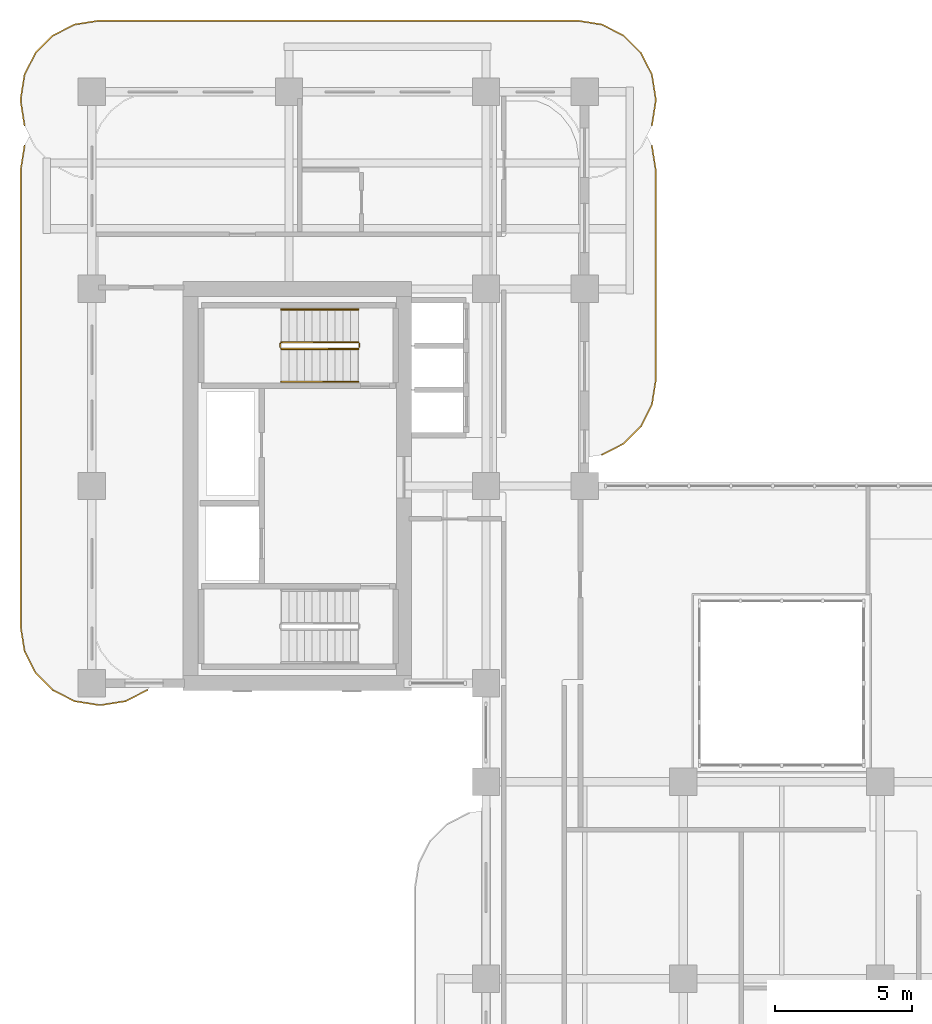
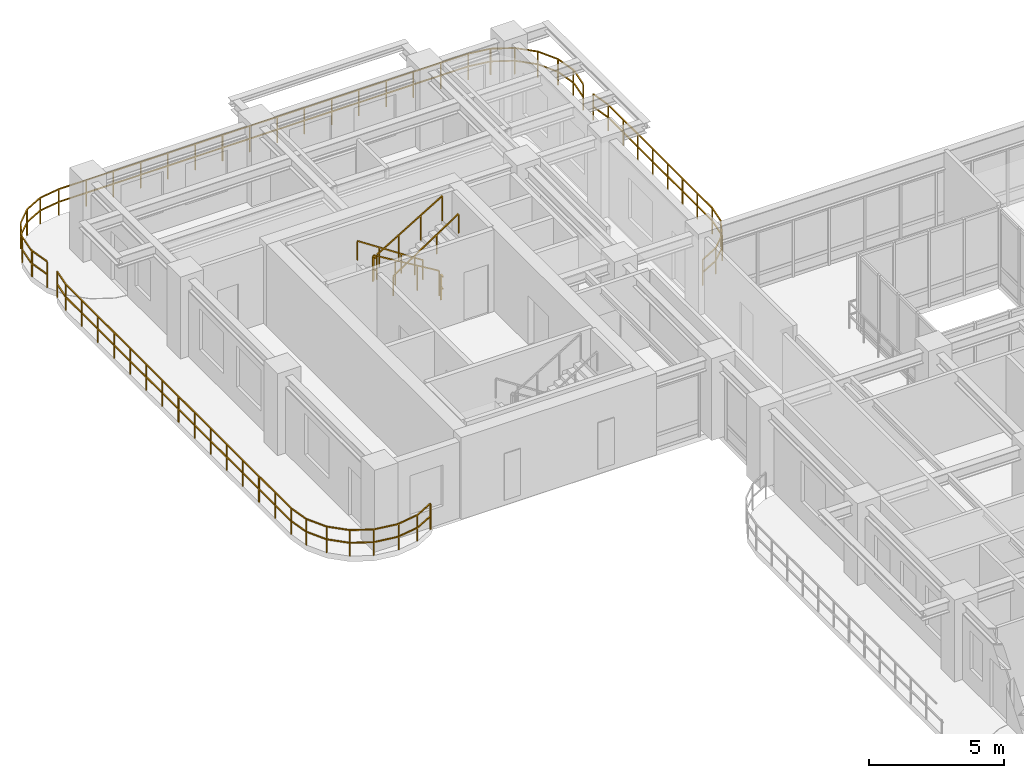
# One storey, part 20 of 20: 9 railings.
"""IFC4 building model written with IfcOpenShell, lengths in metres."""

import ifcopenshell
import ifcopenshell.guid

model = None  # the IFC model being written
_history = None  # IfcOwnerHistory: only IFC2X3 demands one
_inside = {}  # id of a spatial element -> (the spatial element, [elements in it])
_under = {}  # id of a project, library or spatial element -> (it, [spatial elements below it])
_declared = {}  # id of a project -> (the project, [libraries it declares])
_typed = {}  # id of a type object -> (the type object, [elements of that type])
_made_of = {}  # id of a material, layer set ... -> (it, [elements and type objects made of it])


def new_model(schema):
    """Start an empty IFC model of exactly this schema.

    Asked for "IFC4X3", IfcOpenShell would pick the latest addendum, in which some entities
    have other attributes; the version numbers below select the first issue.
    IFC2X3 requires an IfcOwnerHistory on every rooted entity: one is made here for all.
    """
    global model, _history
    if schema == "IFC4X3":
        model = ifcopenshell.file(schema_version=(4, 3, 0, 0))
    else:
        model = ifcopenshell.file(schema=schema)
    _inside.clear()
    _under.clear()
    _declared.clear()
    _typed.clear()
    _made_of.clear()
    _history = None
    if model.schema == "IFC2X3":
        org = make("IfcOrganization", Name="unknown")
        user = make(
            "IfcPersonAndOrganization",
            ThePerson=make("IfcPerson", FamilyName="unknown"),
            TheOrganization=org,
        )
        app = make(
            "IfcApplication",
            ApplicationDeveloper=org,
            Version="unknown",
            ApplicationFullName="unknown",
            ApplicationIdentifier="unknown",
        )
        _history = make(
            "IfcOwnerHistory",
            OwningUser=user,
            OwningApplication=app,
            ChangeAction="ADDED",
            CreationDate=0,
        )
    return model


def make(cls, **values):
    """One entity of the class cls with the attributes given. An attribute that is None is left unset."""
    return model.create_entity(
        cls, **{name: value for name, value in values.items() if value is not None}
    )


def rooted(cls, **values):
    """An entity with a GlobalId (a new one), such as an element, a storey or a relation."""
    return make(cls, GlobalId=ifcopenshell.guid.new(), OwnerHistory=_history, **values)


def si_unit(unit_type, name, prefix=None):
    """IfcSIUnit, for example si_unit("LENGTHUNIT", "METRE", prefix="MILLI")."""
    return make("IfcSIUnit", UnitType=unit_type, Prefix=prefix, Name=name)


def derived_unit(unit_type, elements):
    """IfcDerivedUnit: a product of units, each with its exponent."""
    return make(
        "IfcDerivedUnit",
        Elements=[
            make("IfcDerivedUnitElement", Unit=unit, Exponent=power)
            for unit, power in elements
        ],
        UnitType=unit_type,
    )


def assignment(units):
    """IfcUnitAssignment: the units of a project."""
    return None if units is None else make("IfcUnitAssignment", Units=units)


def point(xyz):
    """IfcCartesianPoint."""
    return None if xyz is None else make("IfcCartesianPoint", Coordinates=xyz)


def direction(xyz):
    """IfcDirection."""
    return None if xyz is None else make("IfcDirection", DirectionRatios=xyz)


def frame(location, z_axis=None, x_axis=None):
    """IfcAxis2Placement3D, a coordinate frame: its origin and axes. An axis left out is left unset."""
    return make(
        "IfcAxis2Placement3D",
        Location=point(location),
        Axis=direction(z_axis),
        RefDirection=direction(x_axis),
    )


def frame_2d(location, x_axis=None):
    """IfcAxis2Placement2D, a coordinate frame in the plane: its origin and x axis."""
    return make(
        "IfcAxis2Placement2D", Location=point(location), RefDirection=direction(x_axis)
    )


def origin():
    """The frame at (0, 0, 0) with its axes left unset."""
    return frame((0.0, 0.0, 0.0))


def origin_2d():
    """The frame at (0, 0) in the plane with its x axis left unset."""
    return frame_2d((0.0, 0.0))


def place(relative_to, where):
    """IfcLocalPlacement: puts the frame where relative to a parent placement (None: the world)."""
    return make(
        "IfcLocalPlacement", PlacementRelTo=relative_to, RelativePlacement=where
    )


def context(
    kind, dimensions, precision=None, world=None, true_north=None, identifier=None
):
    """IfcGeometricRepresentationContext, for example the 3D "Model" context."""
    return make(
        "IfcGeometricRepresentationContext",
        ContextIdentifier=identifier,
        ContextType=kind,
        CoordinateSpaceDimension=dimensions,
        Precision=precision,
        WorldCoordinateSystem=world,
        TrueNorth=true_north,
    )


def subcontext(parent, identifier, kind, view, scale=None):
    """IfcGeometricRepresentationSubContext, for example "Body" below "Model"."""
    return make(
        "IfcGeometricRepresentationSubContext",
        ContextIdentifier=identifier,
        ContextType=kind,
        ParentContext=parent,
        TargetScale=scale,
        TargetView=view,
    )


def project(units=None, contexts=None):
    """IfcProject with its units and contexts."""
    return rooted(
        "IfcProject",
        Name="project",
        RepresentationContexts=contexts,
        UnitsInContext=assignment(units),
    )


def spatial(cls, under=None, at=None, **own):
    """A site, building, storey or space (cls), placed at a placement, below another one or the project."""
    s = rooted(cls, ObjectPlacement=at, **own)
    if under is not None:
        _under.setdefault(under.id(), (under, []))[1].append(s)
    return s


def profile(cls, at=None, kind="AREA", **sizes):
    """A parametric profile (cls). Its sizes go by their IFC names, for example OverallWidth=200.0."""
    return make(cls, ProfileType=kind, Position=at, **sizes)


def rectangle(**sizes):
    """IfcRectangleProfileDef."""
    return profile("IfcRectangleProfileDef", **sizes)


def extrude(swept, where, along, depth):
    """IfcExtrudedAreaSolid: the profile swept, set in the frame where, extruded along a direction by depth."""
    return make(
        "IfcExtrudedAreaSolid",
        SweptArea=swept,
        Position=where,
        ExtrudedDirection=direction(along),
        Depth=depth,
    )


def shape(context_of_items, identifier, shape_type, items):
    """IfcShapeRepresentation: the items that make up one representation, for example the "Body"."""
    return make(
        "IfcShapeRepresentation",
        ContextOfItems=context_of_items,
        RepresentationIdentifier=identifier,
        RepresentationType=shape_type,
        Items=items,
    )


def material(Name=None, Category=None):
    """IfcMaterial."""
    return make("IfcMaterial", Name=Name, Category=Category)


def made_of(thing, what):
    """Note that an element or type object is made of a material, layer set ...; save() writes the relation."""
    if what is not None:
        _made_of.setdefault(what.id(), (what, []))[1].append(thing)
    return thing


def type_object(cls, material=None, **own):
    """A type object (cls), such as IfcWallType, which elements share."""
    return made_of(rooted(cls, **own), material)


def element(
    cls,
    number,
    at=None,
    inside=None,
    cuts=None,
    type_object=None,
    material=None,
    context=None,
    identifier="Body",
    shape_type=None,
    held_by="IfcProductDefinitionShape",
    body=None,
    shapes=None,
    **own,
):
    """One element of the class cls, such as IfcWall. Its Tag is "e" and its number.

    at: its placement. inside: the storey or other place that contains it. cuts: it is an
    opening in that element (IfcRelVoidsElement). A single representation is given by context,
    identifier, shape_type and body (its items); several are given by shapes. held_by: the class
    of the entity that holds the representations. save() writes the other relations.
    """
    e = rooted(cls, Tag="e%d" % number, ObjectPlacement=at, **own)
    if body is not None:
        shapes = [shape(context, identifier, shape_type, body)]
    if shapes is not None:
        e.Representation = make(held_by, Representations=shapes)
    if inside is not None:
        _inside.setdefault(inside.id(), (inside, []))[1].append(e)
    if cuts is not None:
        rooted(
            "IfcRelVoidsElement", RelatingBuildingElement=cuts, RelatedOpeningElement=e
        )
    if type_object is not None:
        _typed.setdefault(type_object.id(), (type_object, []))[1].append(e)
    return made_of(e, material)


def aggregate(whole, parts):
    """IfcRelAggregates: a whole, such as a stair, and the parts it consists of."""
    return rooted("IfcRelAggregates", RelatingObject=whole, RelatedObjects=parts)


def save(model, path):
    """Write the relations noted so far, then the file.

    IfcRelAggregates (storeys below a building ...), IfcRelContainedInSpatialStructure (elements
    in a storey), IfcRelDefinesByType, IfcRelAssociatesMaterial and IfcRelDeclares: one each for
    every whole, place, type object, material and project.
    """
    for whole, parts in _under.values():
        aggregate(whole, parts)
    for where, things in _inside.values():
        rooted(
            "IfcRelContainedInSpatialStructure",
            RelatedElements=things,
            RelatingStructure=where,
        )
    for kind, things in _typed.values():
        rooted("IfcRelDefinesByType", RelatedObjects=things, RelatingType=kind)
    for what, things in _made_of.values():
        rooted("IfcRelAssociatesMaterial", RelatedObjects=things, RelatingMaterial=what)
    for by, libraries in _declared.values():
        rooted("IfcRelDeclares", RelatingContext=by, RelatedDefinitions=libraries)
    model.write(path)


model = new_model("IFC4")

# Units and contexts
model_context = context("Model", 3, precision=1e-05, world=origin(), true_north=direction((0.0, 1.0)))
body_context = subcontext(model_context, "Body", "Model", "MODEL_VIEW")
ifc_project = project(units=[si_unit("LENGTHUNIT", "METRE"), si_unit("AREAUNIT", "SQUARE_METRE"), si_unit("VOLUMEUNIT", "CUBIC_METRE"), si_unit("PLANEANGLEUNIT", "RADIAN"), si_unit("MASSUNIT", "GRAM", prefix="KILO"), si_unit("THERMODYNAMICTEMPERATUREUNIT", "KELVIN"), si_unit("POWERUNIT", "WATT"), derived_unit("THERMALTRANSMITTANCEUNIT", [(si_unit("POWERUNIT", "WATT"), 1), (si_unit("AREAUNIT", "SQUARE_METRE"), -1), (si_unit("THERMODYNAMICTEMPERATUREUNIT", "KELVIN"), -1)])], contexts=[model_context])

# Site, building, storey
site_placement = place(None, origin())
site = spatial("IfcSite", under=ifc_project, at=site_placement, CompositionType="ELEMENT")
building_placement = place(site_placement, origin())
building = spatial("IfcBuilding", under=site, at=building_placement, Name="Zahravan Archway Hotel and Residences", CompositionType="ELEMENT")
storey_placement = place(building_placement, frame((0.0, 0.0, 115.5)))
storey = spatial("IfcBuildingStorey", under=building, at=storey_placement, Name="L28", CompositionType="ELEMENT", Elevation=115.5)

# Railings
ifc_material_1 = material(Name="Bronze & Laminated Glass Balustrade", Category="glass")
railing_type_1 = type_object("IfcRailingType", Name="RL-BAL-1200", PredefinedType="BALUSTRADE", material=ifc_material_1)
railing_1_placement = place(storey_placement, frame((-2.46044921875, 45.5693359375, 0.0)))
element("IfcRailing", 1, at=railing_1_placement, inside=storey, type_object=railing_type_1, Name="L28 Balustrade RL-SLB-BAL-L28-NB-1", PredefinedType="BALUSTRADE", context=body_context, shape_type="SweptSolid", body=[
    extrude(rectangle(XDim=0.048095703125, YDim=0.048095703125, at=origin_2d()), frame((0.0, 0.0, 1.17578125), z_axis=(-0.156623399917, 0.987658397726, 0.0), x_axis=(-0.987658397726, -0.156623399917, 0.0)), (0.0, 0.0, 1.0), 0.8916015625),
    extrude(rectangle(XDim=0.048095703125, YDim=0.048095703125, at=origin_2d()), frame((0.0, 0.0, 0.60009765625), z_axis=(-0.156623399917, 0.987658397726, 0.0), x_axis=(-0.987658397726, -0.156623399917, 0.0)), (0.0, 0.0, 1.0), 0.8916015625),
    extrude(rectangle(XDim=0.048095703125, YDim=0.048095703125, at=origin_2d()), frame((-0.1396484375, 0.880615234375, 1.17578125), z_axis=(0.0, 1.0, 0.0), x_axis=(-1.0, 0.0, 0.0)), (0.0, 0.0, 1.0), 0.10009765625),
    extrude(rectangle(XDim=0.048095703125, YDim=0.048095703125, at=origin_2d()), frame((-0.1396484375, 0.880615234375, 0.60009765625), z_axis=(0.0, 1.0, 0.0), x_axis=(-1.0, 0.0, 0.0)), (0.0, 0.0, 1.0), 0.10009765625),
    extrude(rectangle(XDim=0.048095703125, YDim=0.048095703125, at=origin_2d()), frame((-0.1396484375, 0.980712890625, 1.17578125), z_axis=(0.156623399917, 0.987658397726, 0.0), x_axis=(-0.987658397726, 0.156623399917, 0.0)), (0.0, 0.0, 1.0), 0.8916015625),
    extrude(rectangle(XDim=0.048095703125, YDim=0.048095703125, at=origin_2d()), frame((-0.1396484375, 0.980712890625, 0.60009765625), z_axis=(0.156623399917, 0.987658397726, 0.0), x_axis=(-0.987658397726, 0.156623399917, 0.0)), (0.0, 0.0, 1.0), 0.8916015625),
    extrude(rectangle(XDim=0.048095703125, YDim=0.048095703125, at=origin_2d()), frame((0.0, 1.861328125, 1.17578125), z_axis=(0.453991409995, 0.891006060389, 0.0), x_axis=(-0.891006060389, 0.453991409995, 0.0)), (0.0, 0.0, 1.0), 0.8916015625),
    extrude(rectangle(XDim=0.048095703125, YDim=0.048095703125, at=origin_2d()), frame((0.0, 1.861328125, 0.60009765625), z_axis=(0.453991409995, 0.891006060389, 0.0), x_axis=(-0.891006060389, 0.453991409995, 0.0)), (0.0, 0.0, 1.0), 0.8916015625),
    extrude(rectangle(XDim=0.048095703125, YDim=0.048095703125, at=origin_2d()), frame((0.40478515625, 2.65576171875, 1.17578125), z_axis=(0.706969864397, 0.70724367147, 0.0), x_axis=(-0.70724367147, 0.706969864397, 0.0)), (0.0, 0.0, 1.0), 0.8916015625),
    extrude(rectangle(XDim=0.048095703125, YDim=0.048095703125, at=origin_2d()), frame((0.40478515625, 2.65576171875, 0.60009765625), z_axis=(0.706969864397, 0.70724367147, 0.0), x_axis=(-0.70724367147, 0.706969864397, 0.0)), (0.0, 0.0, 1.0), 0.8916015625),
    extrude(rectangle(XDim=0.048095703125, YDim=0.048095703125, at=origin_2d()), frame((1.03515625, 3.286376953125, 1.17578125), z_axis=(0.891062476022, 0.45388067135, 0.0), x_axis=(-0.45388067135, 0.891062476022, 0.0)), (0.0, 0.0, 1.0), 0.891845703125),
    extrude(rectangle(XDim=0.048095703125, YDim=0.048095703125, at=origin_2d()), frame((1.03515625, 3.286376953125, 0.60009765625), z_axis=(0.891062476022, 0.45388067135, 0.0), x_axis=(-0.45388067135, 0.891062476022, 0.0)), (0.0, 0.0, 1.0), 0.891845703125),
    extrude(rectangle(XDim=0.048095703125, YDim=0.048095703125, at=origin_2d()), frame((1.829833984375, 3.691162109375, 1.17578125), z_axis=(0.987700720307, 0.156356282588, 0.0), x_axis=(-0.156356282588, 0.987700720307, 0.0)), (0.0, 0.0, 1.0), 0.8916015625),
    extrude(rectangle(XDim=0.048095703125, YDim=0.048095703125, at=origin_2d()), frame((1.829833984375, 3.691162109375, 0.60009765625), z_axis=(0.987700720307, 0.156356282588, 0.0), x_axis=(-0.156356282588, 0.987700720307, 0.0)), (0.0, 0.0, 1.0), 0.8916015625),
    extrude(rectangle(XDim=0.048095703125, YDim=0.048095703125, at=origin_2d()), frame((2.71044921875, 3.83056640625, 1.17578125), z_axis=(1.0, 0.0, 0.0), x_axis=(0.0, 1.0, 0.0)), (0.0, 0.0, 1.0), 17.5),
    extrude(rectangle(XDim=0.048095703125, YDim=0.048095703125, at=origin_2d()), frame((2.71044921875, 3.83056640625, 0.60009765625), z_axis=(1.0, 0.0, 0.0), x_axis=(0.0, 1.0, 0.0)), (0.0, 0.0, 1.0), 17.5),
    extrude(rectangle(XDim=0.048095703125, YDim=0.048095703125, at=origin_2d()), frame((20.21044921875, 3.83056640625, 1.17578125), z_axis=(0.987700720307, -0.156356282588, 0.0), x_axis=(0.156356282588, 0.987700720307, 0.0)), (0.0, 0.0, 1.0), 0.8916015625),
    extrude(rectangle(XDim=0.048095703125, YDim=0.048095703125, at=origin_2d()), frame((20.21044921875, 3.83056640625, 0.60009765625), z_axis=(0.987700720307, -0.156356282588, 0.0), x_axis=(0.156356282588, 0.987700720307, 0.0)), (0.0, 0.0, 1.0), 0.8916015625),
    extrude(rectangle(XDim=0.048095703125, YDim=0.048095703125, at=origin_2d()), frame((21.091064453125, 3.691162109375, 1.17578125), z_axis=(0.891062476022, -0.45388067135, 0.0), x_axis=(0.45388067135, 0.891062476022, 0.0)), (0.0, 0.0, 1.0), 0.891845703125),
    extrude(rectangle(XDim=0.048095703125, YDim=0.048095703125, at=origin_2d()), frame((21.091064453125, 3.691162109375, 0.60009765625), z_axis=(0.891062476022, -0.45388067135, 0.0), x_axis=(0.45388067135, 0.891062476022, 0.0)), (0.0, 0.0, 1.0), 0.891845703125),
    extrude(rectangle(XDim=0.048095703125, YDim=0.048095703125, at=origin_2d()), frame((21.8857421875, 3.286376953125, 1.17578125), z_axis=(0.706969864397, -0.70724367147, 0.0), x_axis=(0.70724367147, 0.706969864397, 0.0)), (0.0, 0.0, 1.0), 0.8916015625),
    extrude(rectangle(XDim=0.048095703125, YDim=0.048095703125, at=origin_2d()), frame((21.8857421875, 3.286376953125, 0.60009765625), z_axis=(0.706969864397, -0.70724367147, 0.0), x_axis=(0.70724367147, 0.706969864397, 0.0)), (0.0, 0.0, 1.0), 0.8916015625),
    extrude(rectangle(XDim=0.048095703125, YDim=0.048095703125, at=origin_2d()), frame((22.51611328125, 2.65576171875, 1.17578125), z_axis=(0.453991409995, -0.891006060389, 0.0), x_axis=(0.891006060389, 0.453991409995, 0.0)), (0.0, 0.0, 1.0), 0.8916015625),
    extrude(rectangle(XDim=0.048095703125, YDim=0.048095703125, at=origin_2d()), frame((22.51611328125, 2.65576171875, 0.60009765625), z_axis=(0.453991409995, -0.891006060389, 0.0), x_axis=(0.891006060389, 0.453991409995, 0.0)), (0.0, 0.0, 1.0), 0.8916015625),
    extrude(rectangle(XDim=0.048095703125, YDim=0.048095703125, at=origin_2d()), frame((22.9208984375, 1.861328125, 1.17578125), z_axis=(0.156623399917, -0.987658397726, 0.0), x_axis=(0.987658397726, 0.156623399917, 0.0)), (0.0, 0.0, 1.0), 0.8916015625),
    extrude(rectangle(XDim=0.048095703125, YDim=0.048095703125, at=origin_2d()), frame((22.9208984375, 1.861328125, 0.60009765625), z_axis=(0.156623399917, -0.987658397726, 0.0), x_axis=(0.987658397726, 0.156623399917, 0.0)), (0.0, 0.0, 1.0), 0.8916015625),
    extrude(rectangle(XDim=0.048095703125, YDim=0.048095703125, at=origin_2d()), frame((23.060546875, 0.980712890625, 1.17578125), z_axis=(0.0, -1.0, 0.0), x_axis=(1.0, 0.0, 0.0)), (0.0, 0.0, 1.0), 0.10009765625),
    extrude(rectangle(XDim=0.048095703125, YDim=0.048095703125, at=origin_2d()), frame((23.060546875, 0.980712890625, 0.60009765625), z_axis=(0.0, -1.0, 0.0), x_axis=(1.0, 0.0, 0.0)), (0.0, 0.0, 1.0), 0.10009765625),
    extrude(rectangle(XDim=0.048095703125, YDim=0.048095703125, at=origin_2d()), frame((23.060546875, 0.880615234375, 1.17578125), z_axis=(-0.156623399917, -0.987658397726, 0.0), x_axis=(0.987658397726, -0.156623399917, 0.0)), (0.0, 0.0, 1.0), 0.8916015625),
    extrude(rectangle(XDim=0.048095703125, YDim=0.048095703125, at=origin_2d()), frame((23.060546875, 0.880615234375, 0.60009765625), z_axis=(-0.156623399917, -0.987658397726, 0.0), x_axis=(0.987658397726, -0.156623399917, 0.0)), (0.0, 0.0, 1.0), 0.8916015625),
    extrude(rectangle(XDim=0.0419921875, YDim=0.0419921875, at=origin_2d()), origin(), (0.0, 0.0, 1.0), 1.15185546875),
    extrude(rectangle(XDim=0.0419921875, YDim=0.0419921875, at=origin_2d()), frame((-0.1396484375, 0.880615234375, 0.0)), (0.0, 0.0, 1.0), 1.15185546875),
    extrude(rectangle(XDim=0.0419921875, YDim=0.0419921875, at=origin_2d()), frame((0.0, 1.861328125, 0.0)), (0.0, 0.0, 1.0), 1.15185546875),
    extrude(rectangle(XDim=0.0419921875, YDim=0.0419921875, at=origin_2d()), frame((0.40478515625, 2.65576171875, 0.0)), (0.0, 0.0, 1.0), 1.15185546875),
    extrude(rectangle(XDim=0.0419921875, YDim=0.0419921875, at=origin_2d()), frame((1.03515625, 3.286376953125, 0.0)), (0.0, 0.0, 1.0), 1.15185546875),
    extrude(rectangle(XDim=0.0419921875, YDim=0.0419921875, at=origin_2d()), frame((1.829833984375, 3.691162109375, 0.0)), (0.0, 0.0, 1.0), 1.15185546875),
    extrude(rectangle(XDim=0.0419921875, YDim=0.0419921875, at=origin_2d()), frame((2.71044921875, 3.83056640625, 0.0)), (0.0, 0.0, 1.0), 1.15185546875),
    extrude(rectangle(XDim=0.0419921875, YDim=0.0419921875, at=origin_2d()), frame((3.877197265625, 3.83056640625, 0.0)), (0.0, 0.0, 1.0), 1.15185546875),
    extrude(rectangle(XDim=0.0419921875, YDim=0.0419921875, at=origin_2d()), frame((5.043701171875, 3.83056640625, 0.0)), (0.0, 0.0, 1.0), 1.15185546875),
    extrude(rectangle(XDim=0.0419921875, YDim=0.0419921875, at=origin_2d()), frame((6.21044921875, 3.83056640625, 0.0)), (0.0, 0.0, 1.0), 1.15185546875),
    extrude(rectangle(XDim=0.0419921875, YDim=0.0419921875, at=origin_2d()), frame((7.377197265625, 3.83056640625, 0.0)), (0.0, 0.0, 1.0), 1.15185546875),
    extrude(rectangle(XDim=0.0419921875, YDim=0.0419921875, at=origin_2d()), frame((8.543701171875, 3.83056640625, 0.0)), (0.0, 0.0, 1.0), 1.15185546875),
    extrude(rectangle(XDim=0.0419921875, YDim=0.0419921875, at=origin_2d()), frame((9.71044921875, 3.83056640625, 0.0)), (0.0, 0.0, 1.0), 1.15185546875),
    extrude(rectangle(XDim=0.0419921875, YDim=0.0419921875, at=origin_2d()), frame((10.877197265625, 3.83056640625, 0.0)), (0.0, 0.0, 1.0), 1.15185546875),
    extrude(rectangle(XDim=0.0419921875, YDim=0.0419921875, at=origin_2d()), frame((12.043701171875, 3.83056640625, 0.0)), (0.0, 0.0, 1.0), 1.15185546875),
    extrude(rectangle(XDim=0.0419921875, YDim=0.0419921875, at=origin_2d()), frame((13.21044921875, 3.83056640625, 0.0)), (0.0, 0.0, 1.0), 1.15185546875),
    extrude(rectangle(XDim=0.0419921875, YDim=0.0419921875, at=origin_2d()), frame((14.377197265625, 3.83056640625, 0.0)), (0.0, 0.0, 1.0), 1.15185546875),
    extrude(rectangle(XDim=0.0419921875, YDim=0.0419921875, at=origin_2d()), frame((15.543701171875, 3.83056640625, 0.0)), (0.0, 0.0, 1.0), 1.15185546875),
    extrude(rectangle(XDim=0.0419921875, YDim=0.0419921875, at=origin_2d()), frame((16.71044921875, 3.83056640625, 0.0)), (0.0, 0.0, 1.0), 1.15185546875),
    extrude(rectangle(XDim=0.0419921875, YDim=0.0419921875, at=origin_2d()), frame((17.877197265625, 3.83056640625, 0.0)), (0.0, 0.0, 1.0), 1.15185546875),
    extrude(rectangle(XDim=0.0419921875, YDim=0.0419921875, at=origin_2d()), frame((19.043701171875, 3.83056640625, 0.0)), (0.0, 0.0, 1.0), 1.15185546875),
    extrude(rectangle(XDim=0.0419921875, YDim=0.0419921875, at=origin_2d()), frame((20.21044921875, 3.83056640625, 0.0)), (0.0, 0.0, 1.0), 1.15185546875),
    extrude(rectangle(XDim=0.0419921875, YDim=0.0419921875, at=origin_2d()), frame((21.091064453125, 3.691162109375, 0.0)), (0.0, 0.0, 1.0), 1.15185546875),
    extrude(rectangle(XDim=0.0419921875, YDim=0.0419921875, at=origin_2d()), frame((21.8857421875, 3.286376953125, 0.0)), (0.0, 0.0, 1.0), 1.15185546875),
    extrude(rectangle(XDim=0.0419921875, YDim=0.0419921875, at=origin_2d()), frame((22.51611328125, 2.65576171875, 0.0)), (0.0, 0.0, 1.0), 1.15185546875),
    extrude(rectangle(XDim=0.0419921875, YDim=0.0419921875, at=origin_2d()), frame((22.9208984375, 1.861328125, 0.0)), (0.0, 0.0, 1.0), 1.15185546875),
    extrude(rectangle(XDim=0.0419921875, YDim=0.0419921875, at=origin_2d()), frame((23.060546875, 0.980712890625, 0.0)), (0.0, 0.0, 1.0), 1.15185546875),
    extrude(rectangle(XDim=0.0419921875, YDim=0.0419921875, at=origin_2d()), frame((22.9208984375, 0.0, 0.0)), (0.0, 0.0, 1.0), 1.15185546875),
])
railing_2_placement = place(storey_placement, frame((2.025146484375, 24.9443359375, 0.0)))
element("IfcRailing", 2, at=railing_2_placement, inside=storey, type_object=railing_type_1, Name="L28 Balustrade RL-SLB-BAL-L28-WB-1", PredefinedType="BALUSTRADE", context=body_context, shape_type="SweptSolid", body=[
    extrude(rectangle(XDim=0.048095703125, YDim=0.048095703125, at=origin_2d()), frame((0.0, 0.0, 1.17578125), z_axis=(-0.891006060389, -0.453991409995, 0.0), x_axis=(0.453991409995, -0.891006060389, 0.0)), (0.0, 0.0, 1.0), 0.8916015625),
    extrude(rectangle(XDim=0.048095703125, YDim=0.048095703125, at=origin_2d()), frame((0.0, 0.0, 0.60009765625), z_axis=(-0.891006060389, -0.453991409995, 0.0), x_axis=(0.453991409995, -0.891006060389, 0.0)), (0.0, 0.0, 1.0), 0.8916015625),
    extrude(rectangle(XDim=0.048095703125, YDim=0.048095703125, at=origin_2d()), frame((-0.79443359375, -0.40478515625, 1.17578125), z_axis=(-0.987658397726, -0.156623399917, 0.0), x_axis=(0.156623399917, -0.987658397726, 0.0)), (0.0, 0.0, 1.0), 0.8916015625),
    extrude(rectangle(XDim=0.048095703125, YDim=0.048095703125, at=origin_2d()), frame((-0.79443359375, -0.40478515625, 0.60009765625), z_axis=(-0.987658397726, -0.156623399917, 0.0), x_axis=(0.156623399917, -0.987658397726, 0.0)), (0.0, 0.0, 1.0), 0.8916015625),
    extrude(rectangle(XDim=0.048095703125, YDim=0.048095703125, at=origin_2d()), frame((-1.675048828125, -0.54443359375, 1.17578125), z_axis=(-1.0, 0.0, 0.0), x_axis=(0.0, -1.0, 0.0)), (0.0, 0.0, 1.0), 0.10009765625),
    extrude(rectangle(XDim=0.048095703125, YDim=0.048095703125, at=origin_2d()), frame((-1.675048828125, -0.54443359375, 0.60009765625), z_axis=(-1.0, 0.0, 0.0), x_axis=(0.0, -1.0, 0.0)), (0.0, 0.0, 1.0), 0.10009765625),
    extrude(rectangle(XDim=0.048095703125, YDim=0.048095703125, at=origin_2d()), frame((-1.775146484375, -0.54443359375, 1.17578125), z_axis=(-0.987658397726, 0.156623399917, 0.0), x_axis=(-0.156623399917, -0.987658397726, 0.0)), (0.0, 0.0, 1.0), 0.8916015625),
    extrude(rectangle(XDim=0.048095703125, YDim=0.048095703125, at=origin_2d()), frame((-1.775146484375, -0.54443359375, 0.60009765625), z_axis=(-0.987658397726, 0.156623399917, 0.0), x_axis=(-0.156623399917, -0.987658397726, 0.0)), (0.0, 0.0, 1.0), 0.8916015625),
    extrude(rectangle(XDim=0.048095703125, YDim=0.048095703125, at=origin_2d()), frame((-2.65576171875, -0.40478515625, 1.17578125), z_axis=(-0.891062476022, 0.45388067135, 0.0), x_axis=(-0.45388067135, -0.891062476022, 0.0)), (0.0, 0.0, 1.0), 0.891845703125),
    extrude(rectangle(XDim=0.048095703125, YDim=0.048095703125, at=origin_2d()), frame((-2.65576171875, -0.40478515625, 0.60009765625), z_axis=(-0.891062476022, 0.45388067135, 0.0), x_axis=(-0.45388067135, -0.891062476022, 0.0)), (0.0, 0.0, 1.0), 0.891845703125),
    extrude(rectangle(XDim=0.048095703125, YDim=0.048095703125, at=origin_2d()), frame((-3.450439453125, 0.0, 1.17578125), z_axis=(-0.707106781187, 0.707106781187, 0.0), x_axis=(-0.707106781187, -0.707106781187, 0.0)), (0.0, 0.0, 1.0), 0.891357421875),
    extrude(rectangle(XDim=0.048095703125, YDim=0.048095703125, at=origin_2d()), frame((-3.450439453125, 0.0, 0.60009765625), z_axis=(-0.707106781187, 0.707106781187, 0.0), x_axis=(-0.707106781187, -0.707106781187, 0.0)), (0.0, 0.0, 1.0), 0.891357421875),
    extrude(rectangle(XDim=0.048095703125, YDim=0.048095703125, at=origin_2d()), frame((-4.080810546875, 0.63037109375, 1.17578125), z_axis=(-0.45388067135, 0.891062476022, 0.0), x_axis=(-0.891062476022, -0.45388067135, 0.0)), (0.0, 0.0, 1.0), 0.891845703125),
    extrude(rectangle(XDim=0.048095703125, YDim=0.048095703125, at=origin_2d()), frame((-4.080810546875, 0.63037109375, 0.60009765625), z_axis=(-0.45388067135, 0.891062476022, 0.0), x_axis=(-0.891062476022, -0.45388067135, 0.0)), (0.0, 0.0, 1.0), 0.891845703125),
    extrude(rectangle(XDim=0.048095703125, YDim=0.048095703125, at=origin_2d()), frame((-4.485595703125, 1.425048828125, 1.17578125), z_axis=(-0.156623399917, 0.987658397726, 0.0), x_axis=(-0.987658397726, -0.156623399917, 0.0)), (0.0, 0.0, 1.0), 0.8916015625),
    extrude(rectangle(XDim=0.048095703125, YDim=0.048095703125, at=origin_2d()), frame((-4.485595703125, 1.425048828125, 0.60009765625), z_axis=(-0.156623399917, 0.987658397726, 0.0), x_axis=(-0.987658397726, -0.156623399917, 0.0)), (0.0, 0.0, 1.0), 0.8916015625),
    extrude(rectangle(XDim=0.048095703125, YDim=0.048095703125, at=origin_2d()), frame((-4.625244140625, 2.3056640625, 1.17578125), z_axis=(0.0, 1.0, 0.0), x_axis=(-1.0, 0.0, 0.0)), (0.0, 0.0, 1.0), 16.699951171875),
    extrude(rectangle(XDim=0.048095703125, YDim=0.048095703125, at=origin_2d()), frame((-4.625244140625, 2.3056640625, 0.60009765625), z_axis=(0.0, 1.0, 0.0), x_axis=(-1.0, 0.0, 0.0)), (0.0, 0.0, 1.0), 16.699951171875),
    extrude(rectangle(XDim=0.048095703125, YDim=0.048095703125, at=origin_2d()), frame((-4.625244140625, 19.005615234375, 1.17578125), z_axis=(0.156581054338, 0.98766511198, 0.0), x_axis=(-0.98766511198, 0.156581054338, 0.0)), (0.0, 0.0, 1.0), 0.891845703125),
    extrude(rectangle(XDim=0.048095703125, YDim=0.048095703125, at=origin_2d()), frame((-4.625244140625, 19.005615234375, 0.60009765625), z_axis=(0.156581054338, 0.98766511198, 0.0), x_axis=(-0.98766511198, 0.156581054338, 0.0)), (0.0, 0.0, 1.0), 0.891845703125),
    extrude(rectangle(XDim=0.0419921875, YDim=0.0419921875, at=origin_2d()), origin(), (0.0, 0.0, 1.0), 1.15185546875),
    extrude(rectangle(XDim=0.0419921875, YDim=0.0419921875, at=origin_2d()), frame((-0.79443359375, -0.40478515625, 0.0)), (0.0, 0.0, 1.0), 1.15185546875),
    extrude(rectangle(XDim=0.0419921875, YDim=0.0419921875, at=origin_2d()), frame((-1.675048828125, -0.54443359375, 0.0)), (0.0, 0.0, 1.0), 1.15185546875),
    extrude(rectangle(XDim=0.0419921875, YDim=0.0419921875, at=origin_2d()), frame((-2.65576171875, -0.40478515625, 0.0)), (0.0, 0.0, 1.0), 1.15185546875),
    extrude(rectangle(XDim=0.0419921875, YDim=0.0419921875, at=origin_2d()), frame((-3.450439453125, 0.0, 0.0)), (0.0, 0.0, 1.0), 1.15185546875),
    extrude(rectangle(XDim=0.0419921875, YDim=0.0419921875, at=origin_2d()), frame((-4.080810546875, 0.63037109375, 0.0)), (0.0, 0.0, 1.0), 1.15185546875),
    extrude(rectangle(XDim=0.0419921875, YDim=0.0419921875, at=origin_2d()), frame((-4.485595703125, 1.425048828125, 0.0)), (0.0, 0.0, 1.0), 1.15185546875),
    extrude(rectangle(XDim=0.0419921875, YDim=0.0419921875, at=origin_2d()), frame((-4.625244140625, 2.3056640625, 0.0)), (0.0, 0.0, 1.0), 1.15185546875),
    extrude(rectangle(XDim=0.0419921875, YDim=0.0419921875, at=origin_2d()), frame((-4.625244140625, 3.49853515625, 0.0)), (0.0, 0.0, 1.0), 1.15185546875),
    extrude(rectangle(XDim=0.0419921875, YDim=0.0419921875, at=origin_2d()), frame((-4.625244140625, 4.69140625, 0.0)), (0.0, 0.0, 1.0), 1.15185546875),
    extrude(rectangle(XDim=0.0419921875, YDim=0.0419921875, at=origin_2d()), frame((-4.625244140625, 5.88427734375, 0.0)), (0.0, 0.0, 1.0), 1.15185546875),
    extrude(rectangle(XDim=0.0419921875, YDim=0.0419921875, at=origin_2d()), frame((-4.625244140625, 7.0771484375, 0.0)), (0.0, 0.0, 1.0), 1.15185546875),
    extrude(rectangle(XDim=0.0419921875, YDim=0.0419921875, at=origin_2d()), frame((-4.625244140625, 8.27001953125, 0.0)), (0.0, 0.0, 1.0), 1.15185546875),
    extrude(rectangle(XDim=0.0419921875, YDim=0.0419921875, at=origin_2d()), frame((-4.625244140625, 9.462890625, 0.0)), (0.0, 0.0, 1.0), 1.15185546875),
    extrude(rectangle(XDim=0.0419921875, YDim=0.0419921875, at=origin_2d()), frame((-4.625244140625, 10.65576171875, 0.0)), (0.0, 0.0, 1.0), 1.15185546875),
    extrude(rectangle(XDim=0.0419921875, YDim=0.0419921875, at=origin_2d()), frame((-4.625244140625, 11.848388671875, 0.0)), (0.0, 0.0, 1.0), 1.15185546875),
    extrude(rectangle(XDim=0.0419921875, YDim=0.0419921875, at=origin_2d()), frame((-4.625244140625, 13.041259765625, 0.0)), (0.0, 0.0, 1.0), 1.15185546875),
    extrude(rectangle(XDim=0.0419921875, YDim=0.0419921875, at=origin_2d()), frame((-4.625244140625, 14.234130859375, 0.0)), (0.0, 0.0, 1.0), 1.15185546875),
    extrude(rectangle(XDim=0.0419921875, YDim=0.0419921875, at=origin_2d()), frame((-4.625244140625, 15.427001953125, 0.0)), (0.0, 0.0, 1.0), 1.15185546875),
    extrude(rectangle(XDim=0.0419921875, YDim=0.0419921875, at=origin_2d()), frame((-4.625244140625, 16.619873046875, 0.0)), (0.0, 0.0, 1.0), 1.15185546875),
    extrude(rectangle(XDim=0.0419921875, YDim=0.0419921875, at=origin_2d()), frame((-4.625244140625, 17.812744140625, 0.0)), (0.0, 0.0, 1.0), 1.15185546875),
    extrude(rectangle(XDim=0.0419921875, YDim=0.0419921875, at=origin_2d()), frame((-4.625244140625, 19.005615234375, 0.0)), (0.0, 0.0, 1.0), 1.15185546875),
    extrude(rectangle(XDim=0.0419921875, YDim=0.0419921875, at=origin_2d()), frame((-4.485595703125, 19.886474609375, 0.0)), (0.0, 0.0, 1.0), 1.15185546875),
])
railing_3_placement = place(storey_placement, frame((20.46044921875, 44.830810546875, 0.0)))
element("IfcRailing", 3, at=railing_3_placement, inside=storey, type_object=railing_type_1, Name="L28 Balustrade RL-SLB-BAL-L28-EB-1", PredefinedType="BALUSTRADE", context=body_context, shape_type="SweptSolid", body=[
    extrude(rectangle(XDim=0.048095703125, YDim=0.048095703125, at=origin_2d()), frame((0.0, 0.0, 1.17578125), z_axis=(0.156581054338, -0.98766511198, 0.0), x_axis=(0.98766511198, 0.156581054338, 0.0)), (0.0, 0.0, 1.0), 0.891845703125),
    extrude(rectangle(XDim=0.048095703125, YDim=0.048095703125, at=origin_2d()), frame((0.0, 0.0, 0.60009765625), z_axis=(0.156581054338, -0.98766511198, 0.0), x_axis=(0.98766511198, 0.156581054338, 0.0)), (0.0, 0.0, 1.0), 0.891845703125),
    extrude(rectangle(XDim=0.048095703125, YDim=0.048095703125, at=origin_2d()), frame((0.1396484375, -0.880859375, 1.17578125), z_axis=(0.0, -1.0, 0.0), x_axis=(1.0, 0.0, 0.0)), (0.0, 0.0, 1.0), 7.699951171875),
    extrude(rectangle(XDim=0.048095703125, YDim=0.048095703125, at=origin_2d()), frame((0.1396484375, -0.880859375, 0.60009765625), z_axis=(0.0, -1.0, 0.0), x_axis=(1.0, 0.0, 0.0)), (0.0, 0.0, 1.0), 7.699951171875),
    extrude(rectangle(XDim=0.048095703125, YDim=0.048095703125, at=origin_2d()), frame((0.1396484375, -8.580810546875, 1.17578125), z_axis=(-0.156623399917, -0.987658397726, 0.0), x_axis=(0.987658397726, -0.156623399917, 0.0)), (0.0, 0.0, 1.0), 0.8916015625),
    extrude(rectangle(XDim=0.048095703125, YDim=0.048095703125, at=origin_2d()), frame((0.1396484375, -8.580810546875, 0.60009765625), z_axis=(-0.156623399917, -0.987658397726, 0.0), x_axis=(0.987658397726, -0.156623399917, 0.0)), (0.0, 0.0, 1.0), 0.8916015625),
    extrude(rectangle(XDim=0.048095703125, YDim=0.048095703125, at=origin_2d()), frame((0.0, -9.46142578125, 1.17578125), z_axis=(-0.45388067135, -0.891062476022, 0.0), x_axis=(0.891062476022, -0.45388067135, 0.0)), (0.0, 0.0, 1.0), 0.891845703125),
    extrude(rectangle(XDim=0.048095703125, YDim=0.048095703125, at=origin_2d()), frame((0.0, -9.46142578125, 0.60009765625), z_axis=(-0.45388067135, -0.891062476022, 0.0), x_axis=(0.891062476022, -0.45388067135, 0.0)), (0.0, 0.0, 1.0), 0.891845703125),
    extrude(rectangle(XDim=0.048095703125, YDim=0.048095703125, at=origin_2d()), frame((-0.40478515625, -10.256103515625, 1.17578125), z_axis=(-0.707106781187, -0.707106781187, 0.0), x_axis=(0.707106781187, -0.707106781187, 0.0)), (0.0, 0.0, 1.0), 0.891357421875),
    extrude(rectangle(XDim=0.048095703125, YDim=0.048095703125, at=origin_2d()), frame((-0.40478515625, -10.256103515625, 0.60009765625), z_axis=(-0.707106781187, -0.707106781187, 0.0), x_axis=(0.707106781187, -0.707106781187, 0.0)), (0.0, 0.0, 1.0), 0.891357421875),
    extrude(rectangle(XDim=0.048095703125, YDim=0.048095703125, at=origin_2d()), frame((-1.03515625, -10.886474609375, 1.17578125), z_axis=(-0.891062476022, -0.45388067135, 0.0), x_axis=(0.45388067135, -0.891062476022, 0.0)), (0.0, 0.0, 1.0), 0.891845703125),
    extrude(rectangle(XDim=0.048095703125, YDim=0.048095703125, at=origin_2d()), frame((-1.03515625, -10.886474609375, 0.60009765625), z_axis=(-0.891062476022, -0.45388067135, 0.0), x_axis=(0.45388067135, -0.891062476022, 0.0)), (0.0, 0.0, 1.0), 0.891845703125),
    extrude(rectangle(XDim=0.0419921875, YDim=0.0419921875, at=origin_2d()), origin(), (0.0, 0.0, 1.0), 1.15185546875),
    extrude(rectangle(XDim=0.0419921875, YDim=0.0419921875, at=origin_2d()), frame((0.1396484375, -0.880859375, 0.0)), (0.0, 0.0, 1.0), 1.15185546875),
    extrude(rectangle(XDim=0.0419921875, YDim=0.0419921875, at=origin_2d()), frame((0.1396484375, -1.98095703125, 0.0)), (0.0, 0.0, 1.0), 1.15185546875),
    extrude(rectangle(XDim=0.0419921875, YDim=0.0419921875, at=origin_2d()), frame((0.1396484375, -3.080810546875, 0.0)), (0.0, 0.0, 1.0), 1.15185546875),
    extrude(rectangle(XDim=0.0419921875, YDim=0.0419921875, at=origin_2d()), frame((0.1396484375, -4.180908203125, 0.0)), (0.0, 0.0, 1.0), 1.15185546875),
    extrude(rectangle(XDim=0.0419921875, YDim=0.0419921875, at=origin_2d()), frame((0.1396484375, -5.28076171875, 0.0)), (0.0, 0.0, 1.0), 1.15185546875),
    extrude(rectangle(XDim=0.0419921875, YDim=0.0419921875, at=origin_2d()), frame((0.1396484375, -6.380859375, 0.0)), (0.0, 0.0, 1.0), 1.15185546875),
    extrude(rectangle(XDim=0.0419921875, YDim=0.0419921875, at=origin_2d()), frame((0.1396484375, -7.480712890625, 0.0)), (0.0, 0.0, 1.0), 1.15185546875),
    extrude(rectangle(XDim=0.0419921875, YDim=0.0419921875, at=origin_2d()), frame((0.1396484375, -8.580810546875, 0.0)), (0.0, 0.0, 1.0), 1.15185546875),
    extrude(rectangle(XDim=0.0419921875, YDim=0.0419921875, at=origin_2d()), frame((0.0, -9.46142578125, 0.0)), (0.0, 0.0, 1.0), 1.15185546875),
    extrude(rectangle(XDim=0.0419921875, YDim=0.0419921875, at=origin_2d()), frame((-0.40478515625, -10.256103515625, 0.0)), (0.0, 0.0, 1.0), 1.15185546875),
    extrude(rectangle(XDim=0.0419921875, YDim=0.0419921875, at=origin_2d()), frame((-1.03515625, -10.886474609375, 0.0)), (0.0, 0.0, 1.0), 1.15185546875),
    extrude(rectangle(XDim=0.0419921875, YDim=0.0419921875, at=origin_2d()), frame((-1.829833984375, -11.291259765625, 0.0)), (0.0, 0.0, 1.0), 1.15185546875),
])
ifc_material_2 = material(Name="Painted Tubular Steel", Category="steel")
railing_type_2 = type_object("IfcRailingType", Name="RL-STG-1150", PredefinedType="GUARDRAIL", material=ifc_material_2)
railing_4_placement = place(storey_placement, frame((9.72998046875, 37.64990234375, 0.168212890625)))
element("IfcRailing", 4, at=railing_4_placement, inside=storey, type_object=railing_type_2, Name="L28 ST-B2 stair guard 1", PredefinedType="GUARDRAIL", context=body_context, shape_type="SweptSolid", body=[
    extrude(rectangle(XDim=0.048095703125, YDim=0.048095703125, at=origin_2d()), frame((0.0, 0.0, 1.1259765625), z_axis=(-0.857242210791, 0.0, 0.514913383045), x_axis=(0.0, -1.0, 0.0)), (0.0, 0.0, 1.0), 3.266357421875),
    extrude(rectangle(XDim=0.0419921875, YDim=0.0419921875, at=origin_2d()), origin(), (0.0, 0.0, 1.0), 1.101806640625),
    extrude(rectangle(XDim=0.0419921875, YDim=0.0419921875, at=origin_2d()), frame((-0.933349609375, 0.0, 0.560546875)), (0.0, 0.0, 1.0), 1.101806640625),
    extrude(rectangle(XDim=0.0419921875, YDim=0.0419921875, at=origin_2d()), frame((-1.86669921875, 0.0, 1.121337890625)), (0.0, 0.0, 1.0), 1.101806640625),
    extrude(rectangle(XDim=0.0419921875, YDim=0.0419921875, at=origin_2d()), frame((-2.800048828125, 0.0, 1.681884765625)), (0.0, 0.0, 1.0), 1.101806640625),
])
railing_5_placement = place(storey_placement, frame((6.8798828125, 37.60009765625, 1.85009765625)))
element("IfcRailing", 5, at=railing_5_placement, inside=storey, type_object=railing_type_2, Name="L28 ST-B2 stair guard 2", PredefinedType="GUARDRAIL", context=body_context, shape_type="SweptSolid", body=[
    extrude(rectangle(XDim=0.048095703125, YDim=0.048095703125, at=origin_2d()), frame((0.0, 0.0, 1.1259765625), z_axis=(0.0, -1.0, 0.0), x_axis=(1.0, 0.0, 0.0)), (0.0, 0.0, 1.0), 0.14013671875),
    extrude(rectangle(XDim=0.048095703125, YDim=0.048095703125, at=origin_2d()), frame((0.0, 0.0, 0.574951171875), z_axis=(0.0, -1.0, 0.0), x_axis=(1.0, 0.0, 0.0)), (0.0, 0.0, 1.0), 0.14013671875),
    extrude(rectangle(XDim=0.0419921875, YDim=0.0419921875, at=origin_2d()), origin(), (0.0, 0.0, 1.0), 1.101806640625),
])
railing_6_placement = place(storey_placement, frame((6.929931640625, 37.409912109375, 2.01806640625)))
element("IfcRailing", 6, at=railing_6_placement, inside=storey, type_object=railing_type_2, Name="L28 ST-B2 stair guard 3", PredefinedType="GUARDRAIL", context=body_context, shape_type="SweptSolid", body=[
    extrude(rectangle(XDim=0.048095703125, YDim=0.048095703125, at=origin_2d()), frame((0.0, 0.0, 1.1259765625), z_axis=(0.857242210791, 0.0, 0.514913383045), x_axis=(0.0, 1.0, 0.0)), (0.0, 0.0, 1.0), 3.266357421875),
    extrude(rectangle(XDim=0.0419921875, YDim=0.0419921875, at=origin_2d()), origin(), (0.0, 0.0, 1.0), 1.101806640625),
    extrude(rectangle(XDim=0.0419921875, YDim=0.0419921875, at=origin_2d()), frame((0.933349609375, 0.0, 0.560546875)), (0.0, 0.0, 1.0), 1.101806640625),
    extrude(rectangle(XDim=0.0419921875, YDim=0.0419921875, at=origin_2d()), frame((1.86669921875, 0.0, 1.121337890625)), (0.0, 0.0, 1.0), 1.101806640625),
    extrude(rectangle(XDim=0.0419921875, YDim=0.0419921875, at=origin_2d()), frame((2.800048828125, 0.0, 1.681884765625)), (0.0, 0.0, 1.0), 1.101806640625),
])
railing_7_placement = place(storey_placement, frame((9.780029296875, 37.60009765625, 0.0)))
element("IfcRailing", 7, at=railing_7_placement, inside=storey, type_object=railing_type_2, Name="L28 ST-B2 stair guard 4", PredefinedType="GUARDRAIL", context=body_context, shape_type="SweptSolid", body=[
    extrude(rectangle(XDim=0.048095703125, YDim=0.048095703125, at=origin_2d()), frame((0.0, 0.0, 1.1259765625), z_axis=(0.0, -1.0, 0.0), x_axis=(1.0, 0.0, 0.0)), (0.0, 0.0, 1.0), 0.14013671875),
    extrude(rectangle(XDim=0.048095703125, YDim=0.048095703125, at=origin_2d()), frame((0.0, 0.0, 0.574951171875), z_axis=(0.0, -1.0, 0.0), x_axis=(1.0, 0.0, 0.0)), (0.0, 0.0, 1.0), 0.14013671875),
    extrude(rectangle(XDim=0.0419921875, YDim=0.0419921875, at=origin_2d()), origin(), (0.0, 0.0, 1.0), 1.101806640625),
])
ifc_material_3 = material(Name="Brushed Stainless Steel", Category="steel")
railing_type_3 = type_object("IfcRailingType", Name="RL-STH-900", PredefinedType="HANDRAIL", material=ifc_material_3)
railing_8_placement = place(storey_placement, frame((9.72998046875, 38.85009765625, 0.168212890625)))
element("IfcRailing", 8, at=railing_8_placement, inside=storey, type_object=railing_type_3, Name="L28 ST-B2 stair handrail 1", PredefinedType="HANDRAIL", context=body_context, shape_type="SweptSolid", body=[
    extrude(rectangle(XDim=0.048095703125, YDim=0.048095703125, at=origin_2d()), frame((0.0, 0.0, 0.8759765625), z_axis=(-0.83435981716, 0.0, 0.551220187865), x_axis=(0.0, -1.0, 0.0)), (0.0, 0.0, 1.0), 3.35595703125),
    extrude(rectangle(XDim=0.0419921875, YDim=0.0419921875, at=origin_2d()), origin(), (0.0, 0.0, 1.0), 0.851806640625),
    extrude(rectangle(XDim=0.0419921875, YDim=0.0419921875, at=origin_2d()), frame((-0.933349609375, 0.0, 0.61669921875)), (0.0, 0.0, 1.0), 0.851806640625),
    extrude(rectangle(XDim=0.0419921875, YDim=0.0419921875, at=origin_2d()), frame((-1.86669921875, 0.0, 1.233154296875)), (0.0, 0.0, 1.0), 0.851806640625),
    extrude(rectangle(XDim=0.0419921875, YDim=0.0419921875, at=origin_2d()), frame((-2.800048828125, 0.0, 1.849853515625)), (0.0, 0.0, 1.0), 0.851806640625),
])
railing_9_placement = place(storey_placement, frame((6.929931640625, 36.2099609375, 2.01806640625)))
element("IfcRailing", 9, at=railing_9_placement, inside=storey, type_object=railing_type_3, Name="L28 ST-B2 stair handrail 2", PredefinedType="HANDRAIL", context=body_context, shape_type="SweptSolid", body=[
    extrude(rectangle(XDim=0.048095703125, YDim=0.048095703125, at=origin_2d()), frame((0.0, 0.0, 0.8759765625), z_axis=(0.834326358476, 0.0, 0.551270829586), x_axis=(0.0, 1.0, 0.0)), (0.0, 0.0, 1.0), 3.35595703125),
    extrude(rectangle(XDim=0.0419921875, YDim=0.0419921875, at=origin_2d()), origin(), (0.0, 0.0, 1.0), 0.851806640625),
    extrude(rectangle(XDim=0.0419921875, YDim=0.0419921875, at=origin_2d()), frame((0.933349609375, 0.0, 0.61669921875)), (0.0, 0.0, 1.0), 0.851806640625),
    extrude(rectangle(XDim=0.0419921875, YDim=0.0419921875, at=origin_2d()), frame((1.86669921875, 0.0, 1.2333984375)), (0.0, 0.0, 1.0), 0.851806640625),
    extrude(rectangle(XDim=0.0419921875, YDim=0.0419921875, at=origin_2d()), frame((2.800048828125, 0.0, 1.85009765625)), (0.0, 0.0, 1.0), 0.851806640625),
])

save(model, "model.ifc")
